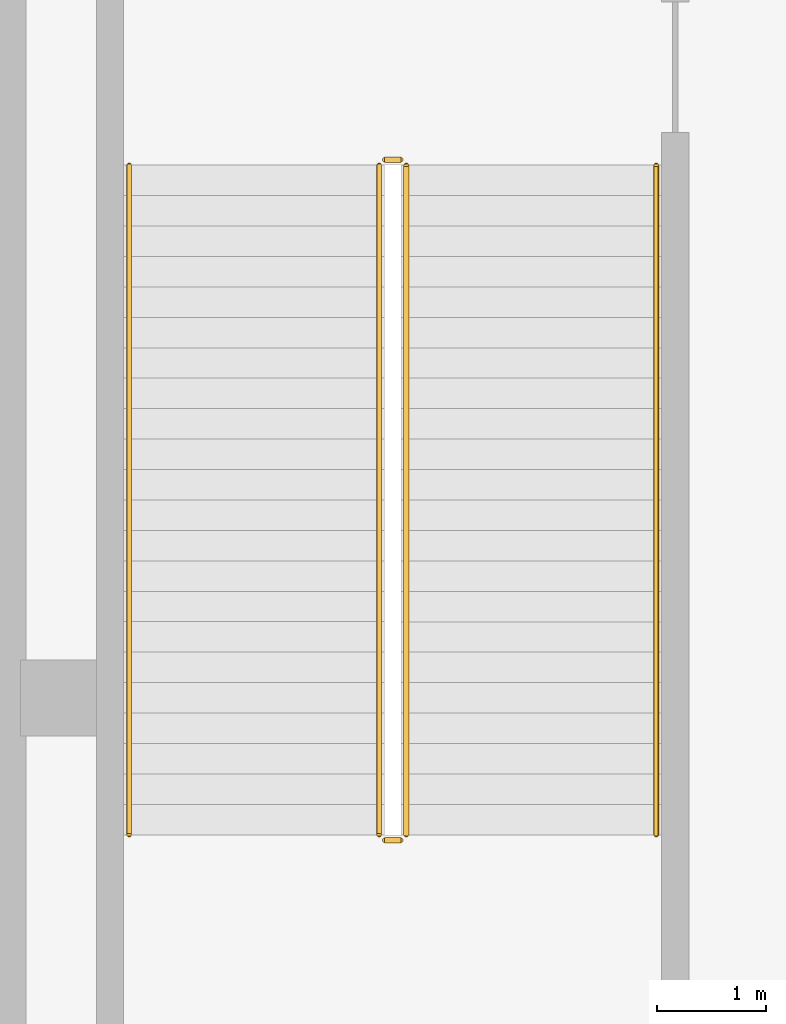
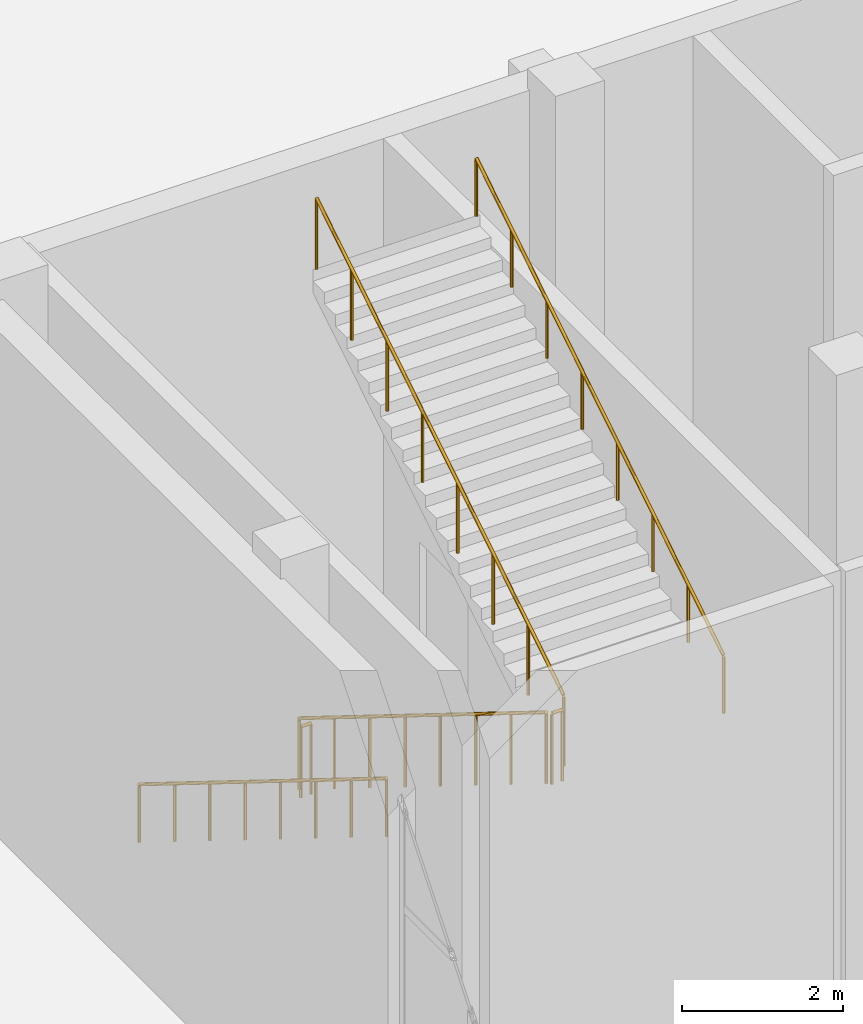
# One storey, part 55 of 57: 6 railings.
"""IFC4 building model written with IfcOpenShell, lengths in metres."""

from ifc_helpers import new_model, si_unit, direction, frame, origin, origin_2d, place, context, subcontext, project, spatial, circle, extrude, material, type_object, element, save


model = new_model("IFC4")

# Units and contexts
model_context = context("Model", 3, precision=1e-05, world=origin(), true_north=direction((0.0, 1.0)))
body_context = subcontext(model_context, "Body", "Model", "MODEL_VIEW")
ifc_project = project(units=[si_unit("LENGTHUNIT", "METRE"), si_unit("AREAUNIT", "SQUARE_METRE"), si_unit("VOLUMEUNIT", "CUBIC_METRE"), si_unit("PLANEANGLEUNIT", "RADIAN"), si_unit("MASSUNIT", "GRAM", prefix="KILO")], contexts=[model_context])

# Site, building, storey
site_placement = place(None, origin())
site = spatial("IfcSite", under=ifc_project, at=site_placement, CompositionType="ELEMENT")
building_placement = place(site_placement, origin())
building = spatial("IfcBuilding", under=site, at=building_placement, Name="Tamorin Gate", CompositionType="ELEMENT")
storey_placement = place(building_placement, origin())
storey = spatial("IfcBuildingStorey", under=building, at=storey_placement, Name="L00", CompositionType="ELEMENT", Elevation=0.0)

# Railings
ifc_material = material(Name="Steel, galvanised", Category="steel")
railing_type_1 = type_object("IfcRailingType", Name="Steel guard 1100 museum", PredefinedType="GUARDRAIL", material=ifc_material)
railing_1_placement = place(storey_placement, frame((148.64990234375, 95.60009765625, 0.173828125)))
element("IfcRailing", 1, at=railing_1_placement, inside=storey, type_object=railing_type_1, Name="L00 PS6 stair guard 1", PredefinedType="GUARDRAIL", context=body_context, shape_type="SweptSolid", body=[
    extrude(circle(Radius=0.02392578125, at=origin_2d()), frame((0.0, 0.0, 1.076171875), z_axis=(0.0, -0.849477832307, 0.527624309921), x_axis=(1.0, 0.0, 0.0)), (0.0, 0.0, 1.0), 7.251708984375),
    extrude(circle(Radius=0.02099609375, at=origin_2d()), origin(), (0.0, 0.0, 1.0), 1.052001953125),
    extrude(circle(Radius=0.02099609375, at=origin_2d()), frame((0.0, -0.880126953125, 0.546630859375)), (0.0, 0.0, 1.0), 1.052001953125),
    extrude(circle(Radius=0.02099609375, at=origin_2d()), frame((0.0, -1.760009765625, 1.09326171875)), (0.0, 0.0, 1.0), 1.052001953125),
    extrude(circle(Radius=0.02099609375, at=origin_2d()), frame((0.0, -2.64013671875, 1.639892578125)), (0.0, 0.0, 1.0), 1.052001953125),
    extrude(circle(Radius=0.02099609375, at=origin_2d()), frame((0.0, -3.52001953125, 2.186279296875)), (0.0, 0.0, 1.0), 1.052001953125),
    extrude(circle(Radius=0.02099609375, at=origin_2d()), frame((0.0, -4.400146484375, 2.73291015625)), (0.0, 0.0, 1.0), 1.052001953125),
    extrude(circle(Radius=0.02099609375, at=origin_2d()), frame((0.0, -5.280029296875, 3.279541015625)), (0.0, 0.0, 1.0), 1.052001953125),
    extrude(circle(Radius=0.02099609375, at=origin_2d()), frame((0.0, -6.16015625, 3.826171875)), (0.0, 0.0, 1.0), 1.052001953125),
])
railing_2_placement = place(storey_placement, frame((148.699951171875, 89.389892578125, 4.0)))
element("IfcRailing", 2, at=railing_2_placement, inside=storey, type_object=railing_type_1, Name="L00 PS6 stair guard 2", PredefinedType="GUARDRAIL", context=body_context, shape_type="SweptSolid", body=[
    extrude(circle(Radius=0.02392578125, at=origin_2d()), frame((0.0, 0.0, 1.076171875), z_axis=(1.0, 0.0, 0.0), x_axis=(0.0, 1.0, 0.0)), (0.0, 0.0, 1.0), 0.150146484375),
    extrude(circle(Radius=0.02099609375, at=origin_2d()), origin(), (0.0, 0.0, 1.0), 1.052001953125),
    extrude(circle(Radius=0.02099609375, at=origin_2d()), frame((0.150146484375, 0.0, 0.0)), (0.0, 0.0, 1.0), 1.052001953125),
])
railing_3_placement = place(storey_placement, frame((148.89990234375, 89.43994140625, 4.173828125)))
element("IfcRailing", 3, at=railing_3_placement, inside=storey, type_object=railing_type_1, Name="L00 PS6 stair guard 3", PredefinedType="GUARDRAIL", context=body_context, shape_type="SweptSolid", body=[
    extrude(circle(Radius=0.02392578125, at=origin_2d()), frame((0.0, 0.0, 1.076171875), z_axis=(0.0, 0.849477832307, 0.527624309921), x_axis=(-1.0, 0.0, 0.0)), (0.0, 0.0, 1.0), 7.251708984375),
    extrude(circle(Radius=0.02099609375, at=origin_2d()), origin(), (0.0, 0.0, 1.0), 1.052001953125),
    extrude(circle(Radius=0.02099609375, at=origin_2d()), frame((0.0, 0.880126953125, 0.546630859375)), (0.0, 0.0, 1.0), 1.052001953125),
    extrude(circle(Radius=0.02099609375, at=origin_2d()), frame((0.0, 1.760009765625, 1.09326171875)), (0.0, 0.0, 1.0), 1.052001953125),
    extrude(circle(Radius=0.02099609375, at=origin_2d()), frame((0.0, 2.64013671875, 1.639892578125)), (0.0, 0.0, 1.0), 1.052001953125),
    extrude(circle(Radius=0.02099609375, at=origin_2d()), frame((0.0, 3.52001953125, 2.186279296875)), (0.0, 0.0, 1.0), 1.052001953125),
    extrude(circle(Radius=0.02099609375, at=origin_2d()), frame((0.0, 4.400146484375, 2.73291015625)), (0.0, 0.0, 1.0), 1.052001953125),
    extrude(circle(Radius=0.02099609375, at=origin_2d()), frame((0.0, 5.280029296875, 3.279541015625)), (0.0, 0.0, 1.0), 1.052001953125),
    extrude(circle(Radius=0.02099609375, at=origin_2d()), frame((0.0, 6.16015625, 3.826171875)), (0.0, 0.0, 1.0), 1.052001953125),
])
railing_4_placement = place(storey_placement, frame((148.699951171875, 95.64990234375, 0.0)))
element("IfcRailing", 4, at=railing_4_placement, inside=storey, type_object=railing_type_1, Name="L00 PS6 stair guard 4", PredefinedType="GUARDRAIL", context=body_context, shape_type="SweptSolid", body=[
    extrude(circle(Radius=0.02392578125, at=origin_2d()), frame((0.0, 0.0, 1.076171875), z_axis=(1.0, 0.0, 0.0), x_axis=(0.0, 1.0, 0.0)), (0.0, 0.0, 1.0), 0.150146484375),
    extrude(circle(Radius=0.02099609375, at=origin_2d()), origin(), (0.0, 0.0, 1.0), 1.052001953125),
    extrude(circle(Radius=0.02099609375, at=origin_2d()), frame((0.150146484375, 0.0, 0.0)), (0.0, 0.0, 1.0), 1.052001953125),
])
railing_type_2 = type_object("IfcRailingType", Name="Steel handrail 900 museum", PredefinedType="HANDRAIL", material=ifc_material)
railing_5_placement = place(storey_placement, frame((146.35009765625, 95.60009765625, 0.173828125)))
element("IfcRailing", 5, at=railing_5_placement, inside=storey, type_object=railing_type_2, Name="L00 PS6 stair handrail 1", PredefinedType="HANDRAIL", context=body_context, shape_type="SweptSolid", body=[
    extrude(circle(Radius=0.02392578125, at=origin_2d()), frame((0.0, 0.0, 0.8759765625), z_axis=(0.0, -0.849477832307, 0.527624309921), x_axis=(1.0, 0.0, 0.0)), (0.0, 0.0, 1.0), 7.251708984375),
    extrude(circle(Radius=0.02099609375, at=origin_2d()), origin(), (0.0, 0.0, 1.0), 0.851806640625),
    extrude(circle(Radius=0.02099609375, at=origin_2d()), frame((0.0, -0.880126953125, 0.546630859375)), (0.0, 0.0, 1.0), 0.851806640625),
    extrude(circle(Radius=0.02099609375, at=origin_2d()), frame((0.0, -1.760009765625, 1.09326171875)), (0.0, 0.0, 1.0), 0.851806640625),
    extrude(circle(Radius=0.02099609375, at=origin_2d()), frame((0.0, -2.64013671875, 1.639892578125)), (0.0, 0.0, 1.0), 0.851806640625),
    extrude(circle(Radius=0.02099609375, at=origin_2d()), frame((0.0, -3.52001953125, 2.186279296875)), (0.0, 0.0, 1.0), 0.851806640625),
    extrude(circle(Radius=0.02099609375, at=origin_2d()), frame((0.0, -4.400146484375, 2.73291015625)), (0.0, 0.0, 1.0), 0.851806640625),
    extrude(circle(Radius=0.02099609375, at=origin_2d()), frame((0.0, -5.280029296875, 3.279541015625)), (0.0, 0.0, 1.0), 0.851806640625),
    extrude(circle(Radius=0.02099609375, at=origin_2d()), frame((0.0, -6.16015625, 3.826171875)), (0.0, 0.0, 1.0), 0.851806640625),
])
railing_6_placement = place(storey_placement, frame((151.199951171875, 89.43994140625, 4.173828125)))
element("IfcRailing", 6, at=railing_6_placement, inside=storey, type_object=railing_type_2, Name="L00 PS6 stair handrail 2", PredefinedType="HANDRAIL", context=body_context, shape_type="SweptSolid", body=[
    extrude(circle(Radius=0.02392578125, at=origin_2d()), frame((0.0, 0.0, 0.8759765625), z_axis=(0.0, 0.849477832307, 0.527624309921), x_axis=(-1.0, 0.0, 0.0)), (0.0, 0.0, 1.0), 7.251708984375),
    extrude(circle(Radius=0.02099609375, at=origin_2d()), origin(), (0.0, 0.0, 1.0), 0.851806640625),
    extrude(circle(Radius=0.02099609375, at=origin_2d()), frame((0.0, 0.880126953125, 0.546630859375)), (0.0, 0.0, 1.0), 0.851806640625),
    extrude(circle(Radius=0.02099609375, at=origin_2d()), frame((0.0, 1.760009765625, 1.09326171875)), (0.0, 0.0, 1.0), 0.851806640625),
    extrude(circle(Radius=0.02099609375, at=origin_2d()), frame((0.0, 2.64013671875, 1.639892578125)), (0.0, 0.0, 1.0), 0.851806640625),
    extrude(circle(Radius=0.02099609375, at=origin_2d()), frame((0.0, 3.52001953125, 2.186279296875)), (0.0, 0.0, 1.0), 0.851806640625),
    extrude(circle(Radius=0.02099609375, at=origin_2d()), frame((0.0, 4.400146484375, 2.73291015625)), (0.0, 0.0, 1.0), 0.851806640625),
    extrude(circle(Radius=0.02099609375, at=origin_2d()), frame((0.0, 5.280029296875, 3.279541015625)), (0.0, 0.0, 1.0), 0.851806640625),
    extrude(circle(Radius=0.02099609375, at=origin_2d()), frame((0.0, 6.16015625, 3.826171875)), (0.0, 0.0, 1.0), 0.851806640625),
])

save(model, "model.ifc")
